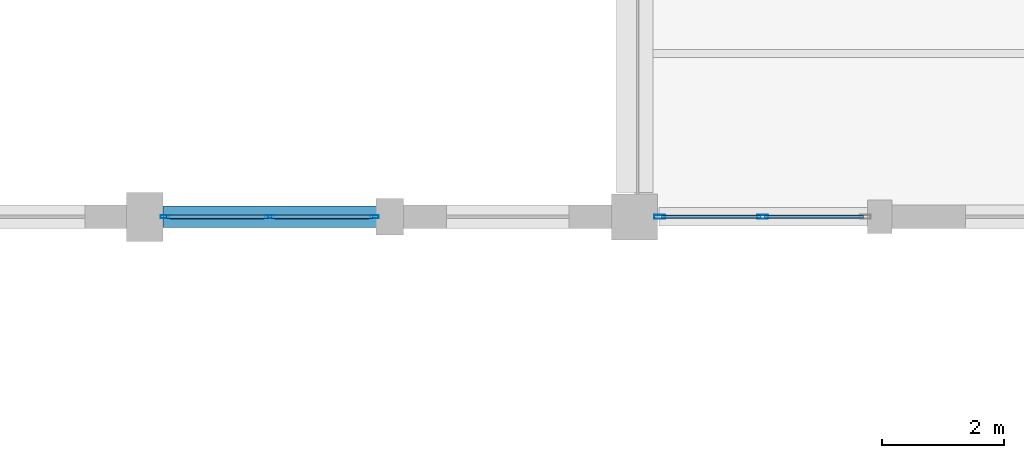
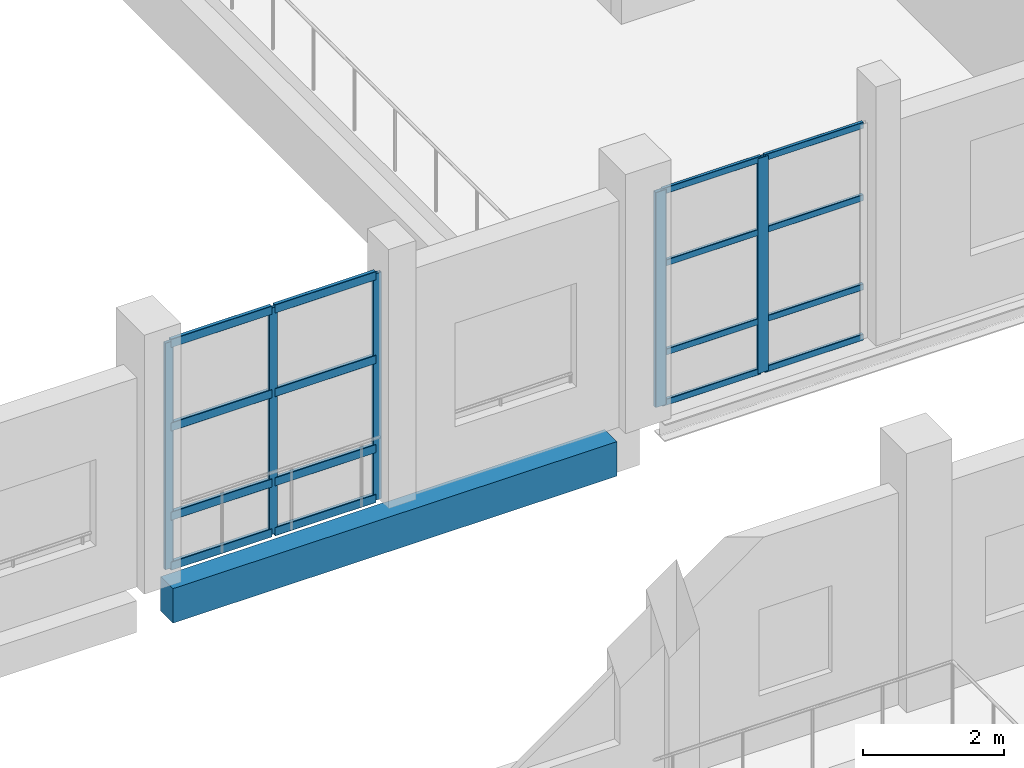
# One storey, part 107 of 183: 21 members, 1 beam, 2 elements without a shape of their own.
"""IFC4 building model written with IfcOpenShell, lengths in metres."""

from ifc_helpers import new_model, si_unit, direction, frame, origin, origin_2d, place, context, subcontext, project, spatial, rectangle, hollow_rectangle, extrude, material, material_profile, profile_set, type_object, element, aggregate, save


model = new_model("IFC4")

# Units and contexts
model_context = context("Model", 3, precision=1e-05, world=origin(), true_north=direction((0.0, 1.0)))
body_context = subcontext(model_context, "Body", "Model", "MODEL_VIEW")
ifc_project = project(units=[si_unit("LENGTHUNIT", "METRE"), si_unit("AREAUNIT", "SQUARE_METRE"), si_unit("VOLUMEUNIT", "CUBIC_METRE"), si_unit("PLANEANGLEUNIT", "RADIAN"), si_unit("MASSUNIT", "GRAM", prefix="KILO")], contexts=[model_context])

# Site, building, storey
site_placement = place(None, origin())
site = spatial("IfcSite", under=ifc_project, at=site_placement, CompositionType="ELEMENT")
building_placement = place(site_placement, origin())
building = spatial("IfcBuilding", under=site, at=building_placement, Name="Luwemba Playhouse", CompositionType="ELEMENT")
storey_placement = place(building_placement, frame((0.0, 0.0, 4.800048828125)))
storey = spatial("IfcBuildingStorey", under=building, at=storey_placement, Name="L01", CompositionType="ELEMENT", Elevation=4.800048828125)

# Beam
ifc_material_1 = material(Name="Concrete C40/50", Category="concrete")
ifc_material_profile_1 = material_profile(ifc_material_1, rectangle(XDim=0.35009765625, YDim=0.60009765625, at=origin_2d()))
ifc_profile_set_1 = profile_set([ifc_material_profile_1], Name="Concrete C40/50")
beam_type = type_object("IfcBeamType", Name="BM-SP3", PredefinedType="SPANDREL", material=ifc_profile_set_1)
beam_placement = place(storey_placement, frame((148.300048828125, 68.0, -0.550048828125), z_axis=(1.0, 0.0, 0.0), x_axis=(0.0, 1.0, 0.0)))
element("IfcBeam", 1, at=beam_placement, inside=storey, type_object=beam_type, Name="L01 grid girder 0438", PredefinedType="SPANDREL", context=body_context, shape_type="SweptSolid", body=[
    extrude(rectangle(XDim=0.35009765625, YDim=0.60009765625, at=origin_2d()), origin(), (0.0, 0.0, 1.0), 7.300048828125),
])

# Curtain wall, members
ifc_material_2 = material(Name="Solar-control double glazing", Category="glass")
curtain_wall_type_1 = type_object("IfcCurtainWallType", Name="CW-CW85", PredefinedType="USERDEFINED", material=ifc_material_2)
curtain_wall_1_placement = place(storey_placement, origin())
curtain_wall_1 = element("IfcCurtainWall", 2, at=curtain_wall_1_placement, inside=storey, type_object=curtain_wall_type_1, Name="L01 V4 unitised curtain wall 115", ObjectType="UNITISED GLAZING", PredefinedType="USERDEFINED")
ifc_material_3 = material(Name="Aluminium 6063-T6", Category="aluminium")
ifc_material_profile_2 = material_profile(ifc_material_3, hollow_rectangle(XDim=0.06494140625, YDim=0.179931640625, WallThickness=0.00439453125, InnerFilletRadius=0.0068359375, OuterFilletRadius=0.01123046875, at=origin_2d()))
ifc_profile_set_2 = profile_set([ifc_material_profile_2], Name="Aluminium 6063-T6")
member_type_1 = type_object("IfcMemberType", Name="CWM-M2", PredefinedType="MULLION", material=ifc_profile_set_2)
member_1_placement = place(storey_placement, frame((158.08740234375, 68.0, 0.0), z_axis=(0.0, 0.0, 1.0), x_axis=(0.0, -1.0, 0.0)))
member_1 = element("IfcMember", 3, at=member_1_placement, type_object=member_type_1, Name="CW85 mullion 2", PredefinedType="MULLION", context=body_context, shape_type="SweptSolid", body=[
    extrude(hollow_rectangle(XDim=0.06494140625, YDim=0.179931640625, WallThickness=0.00439453125, InnerFilletRadius=0.0068359375, OuterFilletRadius=0.01123046875, at=origin_2d()), origin(), (0.0, 0.0, 1.0), 3.73486328125),
])
member_2_placement = place(storey_placement, frame((156.407470703125, 68.0, 0.0), z_axis=(0.0, 0.0, 1.0), x_axis=(0.0, -1.0, 0.0)))
member_2 = element("IfcMember", 4, at=member_2_placement, type_object=member_type_1, Name="CW85 mullion 3", PredefinedType="MULLION", context=body_context, shape_type="SweptSolid", body=[
    extrude(hollow_rectangle(XDim=0.06494140625, YDim=0.179931640625, WallThickness=0.00439453125, InnerFilletRadius=0.0068359375, OuterFilletRadius=0.01123046875, at=origin_2d()), origin(), (0.0, 0.0, 1.0), 3.73486328125),
])

curtain_wall_type_2 = type_object("IfcCurtainWallType", Name="CW-CW86", PredefinedType="USERDEFINED", material=ifc_material_2)
curtain_wall_2_placement = place(storey_placement, origin())
curtain_wall_2 = element("IfcCurtainWall", 5, at=curtain_wall_2_placement, inside=storey, type_object=curtain_wall_type_2, Name="L01 V4 unitised curtain wall 116", ObjectType="UNITISED GLAZING", PredefinedType="USERDEFINED")
ifc_material_profile_3 = material_profile(ifc_material_3, hollow_rectangle(XDim=0.054931640625, YDim=0.139892578125, WallThickness=0.00390625, InnerFilletRadius=0.006103515625, OuterFilletRadius=0.010009765625, at=origin_2d()))
ifc_profile_set_3 = profile_set([ifc_material_profile_3], Name="Aluminium 6063-T6")
member_type_2 = type_object("IfcMemberType", Name="CWM-M3", PredefinedType="MULLION", material=ifc_profile_set_3)
member_3_placement = place(storey_placement, frame((151.74755859375, 68.0, 0.0), z_axis=(0.0, 0.0, 1.0), x_axis=(0.0, -1.0, 0.0)))
member_3 = element("IfcMember", 6, at=member_3_placement, type_object=member_type_2, Name="CW86 mullion 1", PredefinedType="MULLION", context=body_context, shape_type="SweptSolid", body=[
    extrude(hollow_rectangle(XDim=0.054931640625, YDim=0.139892578125, WallThickness=0.00390625, InnerFilletRadius=0.006103515625, OuterFilletRadius=0.010009765625, at=origin_2d()), origin(), (0.0, 0.0, 1.0), 3.93505859375),
])
member_4_placement = place(storey_placement, frame((150.03759765625, 68.0, 0.0), z_axis=(0.0, 0.0, 1.0), x_axis=(0.0, -1.0, 0.0)))
member_4 = element("IfcMember", 7, at=member_4_placement, type_object=member_type_2, Name="CW86 mullion 2", PredefinedType="MULLION", context=body_context, shape_type="SweptSolid", body=[
    extrude(hollow_rectangle(XDim=0.054931640625, YDim=0.139892578125, WallThickness=0.00390625, InnerFilletRadius=0.006103515625, OuterFilletRadius=0.010009765625, at=origin_2d()), origin(), (0.0, 0.0, 1.0), 3.93505859375),
])
member_5_placement = place(storey_placement, frame((148.327392578125, 68.0, 0.0), z_axis=(0.0, 0.0, 1.0), x_axis=(0.0, -1.0, 0.0)))
member_5 = element("IfcMember", 8, at=member_5_placement, type_object=member_type_2, Name="CW86 mullion 3", PredefinedType="MULLION", context=body_context, shape_type="SweptSolid", body=[
    extrude(hollow_rectangle(XDim=0.054931640625, YDim=0.139892578125, WallThickness=0.00390625, InnerFilletRadius=0.006103515625, OuterFilletRadius=0.010009765625, at=origin_2d()), origin(), (0.0, 0.0, 1.0), 3.93505859375),
])

# Member
ifc_material_profile_4 = material_profile(ifc_material_3, hollow_rectangle(XDim=0.054931640625, YDim=0.110107421875, WallThickness=0.00341796875, InnerFilletRadius=0.00537109375, OuterFilletRadius=0.0087890625, at=origin_2d()))
ifc_profile_set_4 = profile_set([ifc_material_profile_4], Name="Aluminium 6063-T6")
member_type_3 = type_object("IfcMemberType", Name="CWT-T2", PredefinedType="USERDEFINED", material=ifc_profile_set_4)
member_6_placement = place(storey_placement, frame((159.735107421875, 68.0, 0.02734375), z_axis=(-1.0, 0.0, 0.0), x_axis=(0.0, -1.0, 0.0)))
member_6 = element("IfcMember", 9, at=member_6_placement, type_object=member_type_3, Name="CW85 transom 1.1", ObjectType="TRANSOM", PredefinedType="USERDEFINED", context=body_context, shape_type="SweptSolid", body=[
    extrude(hollow_rectangle(XDim=0.054931640625, YDim=0.110107421875, WallThickness=0.00341796875, InnerFilletRadius=0.00537109375, OuterFilletRadius=0.0087890625, at=origin_2d()), origin(), (0.0, 0.0, 1.0), 1.614990234375),
])

member_7_placement = place(storey_placement, frame((159.735107421875, 68.0, 0.89990234375), z_axis=(-1.0, 0.0, 0.0), x_axis=(0.0, -1.0, 0.0)))
member_7 = element("IfcMember", 10, at=member_7_placement, type_object=member_type_3, Name="CW85 transom 1.2", ObjectType="TRANSOM", PredefinedType="USERDEFINED", context=body_context, shape_type="SweptSolid", body=[
    extrude(hollow_rectangle(XDim=0.054931640625, YDim=0.110107421875, WallThickness=0.00341796875, InnerFilletRadius=0.00537109375, OuterFilletRadius=0.0087890625, at=origin_2d()), origin(), (0.0, 0.0, 1.0), 1.614990234375),
])

member_8_placement = place(storey_placement, frame((159.735107421875, 68.0, 2.449951171875), z_axis=(-1.0, 0.0, 0.0), x_axis=(0.0, -1.0, 0.0)))
member_8 = element("IfcMember", 11, at=member_8_placement, type_object=member_type_3, Name="CW85 transom 1.3", ObjectType="TRANSOM", PredefinedType="USERDEFINED", context=body_context, shape_type="SweptSolid", body=[
    extrude(hollow_rectangle(XDim=0.054931640625, YDim=0.110107421875, WallThickness=0.00341796875, InnerFilletRadius=0.00537109375, OuterFilletRadius=0.0087890625, at=origin_2d()), origin(), (0.0, 0.0, 1.0), 1.614990234375),
])

member_9_placement = place(storey_placement, frame((159.735107421875, 68.0, 3.70751953125), z_axis=(-1.0, 0.0, 0.0), x_axis=(0.0, -1.0, 0.0)))
member_9 = element("IfcMember", 12, at=member_9_placement, type_object=member_type_3, Name="CW85 transom 1.4", ObjectType="TRANSOM", PredefinedType="USERDEFINED", context=body_context, shape_type="SweptSolid", body=[
    extrude(hollow_rectangle(XDim=0.054931640625, YDim=0.110107421875, WallThickness=0.00341796875, InnerFilletRadius=0.00537109375, OuterFilletRadius=0.0087890625, at=origin_2d()), origin(), (0.0, 0.0, 1.0), 1.614990234375),
])

member_10_placement = place(storey_placement, frame((158.054931640625, 68.0, 0.02734375), z_axis=(-1.0, 0.0, 0.0), x_axis=(0.0, -1.0, 0.0)))
member_10 = element("IfcMember", 13, at=member_10_placement, type_object=member_type_3, Name="CW85 transom 2.1", ObjectType="TRANSOM", PredefinedType="USERDEFINED", context=body_context, shape_type="SweptSolid", body=[
    extrude(hollow_rectangle(XDim=0.054931640625, YDim=0.110107421875, WallThickness=0.00341796875, InnerFilletRadius=0.00537109375, OuterFilletRadius=0.0087890625, at=origin_2d()), origin(), (0.0, 0.0, 1.0), 1.614990234375),
])

member_11_placement = place(storey_placement, frame((158.054931640625, 68.0, 0.89990234375), z_axis=(-1.0, 0.0, 0.0), x_axis=(0.0, -1.0, 0.0)))
member_11 = element("IfcMember", 14, at=member_11_placement, type_object=member_type_3, Name="CW85 transom 2.2", ObjectType="TRANSOM", PredefinedType="USERDEFINED", context=body_context, shape_type="SweptSolid", body=[
    extrude(hollow_rectangle(XDim=0.054931640625, YDim=0.110107421875, WallThickness=0.00341796875, InnerFilletRadius=0.00537109375, OuterFilletRadius=0.0087890625, at=origin_2d()), origin(), (0.0, 0.0, 1.0), 1.614990234375),
])

member_12_placement = place(storey_placement, frame((158.054931640625, 68.0, 2.449951171875), z_axis=(-1.0, 0.0, 0.0), x_axis=(0.0, -1.0, 0.0)))
member_12 = element("IfcMember", 15, at=member_12_placement, type_object=member_type_3, Name="CW85 transom 2.3", ObjectType="TRANSOM", PredefinedType="USERDEFINED", context=body_context, shape_type="SweptSolid", body=[
    extrude(hollow_rectangle(XDim=0.054931640625, YDim=0.110107421875, WallThickness=0.00341796875, InnerFilletRadius=0.00537109375, OuterFilletRadius=0.0087890625, at=origin_2d()), origin(), (0.0, 0.0, 1.0), 1.614990234375),
])

member_13_placement = place(storey_placement, frame((158.054931640625, 68.0, 3.70751953125), z_axis=(-1.0, 0.0, 0.0), x_axis=(0.0, -1.0, 0.0)))
member_13 = element("IfcMember", 16, at=member_13_placement, type_object=member_type_3, Name="CW85 transom 2.4", ObjectType="TRANSOM", PredefinedType="USERDEFINED", context=body_context, shape_type="SweptSolid", body=[
    extrude(hollow_rectangle(XDim=0.054931640625, YDim=0.110107421875, WallThickness=0.00341796875, InnerFilletRadius=0.00537109375, OuterFilletRadius=0.0087890625, at=origin_2d()), origin(), (0.0, 0.0, 1.0), 1.614990234375),
])

aggregate(curtain_wall_1, [member_1, member_2, member_6, member_7, member_8, member_9, member_10, member_11, member_12, member_13])

ifc_material_profile_5 = material_profile(ifc_material_3, hollow_rectangle(XDim=0.06494140625, YDim=0.14990234375, WallThickness=0.00390625, InnerFilletRadius=0.006103515625, OuterFilletRadius=0.010009765625, at=origin_2d()))
ifc_profile_set_5 = profile_set([ifc_material_profile_5], Name="Aluminium 6063-T6")
member_type_4 = type_object("IfcMemberType", Name="CWT-T3", PredefinedType="USERDEFINED", material=ifc_profile_set_5)
member_14_placement = place(storey_placement, frame((151.719970703125, 68.0, 0.032470703125), z_axis=(-1.0, 0.0, 0.0), x_axis=(0.0, -1.0, 0.0)))
member_14 = element("IfcMember", 17, at=member_14_placement, type_object=member_type_4, Name="CW86 transom 1.1", ObjectType="TRANSOM", PredefinedType="USERDEFINED", context=body_context, shape_type="SweptSolid", body=[
    extrude(hollow_rectangle(XDim=0.06494140625, YDim=0.14990234375, WallThickness=0.00390625, InnerFilletRadius=0.006103515625, OuterFilletRadius=0.010009765625, at=origin_2d()), origin(), (0.0, 0.0, 1.0), 1.655029296875),
])

member_15_placement = place(storey_placement, frame((151.719970703125, 68.0, 0.89990234375), z_axis=(-1.0, 0.0, 0.0), x_axis=(0.0, -1.0, 0.0)))
member_15 = element("IfcMember", 18, at=member_15_placement, type_object=member_type_4, Name="CW86 transom 1.2", ObjectType="TRANSOM", PredefinedType="USERDEFINED", context=body_context, shape_type="SweptSolid", body=[
    extrude(hollow_rectangle(XDim=0.06494140625, YDim=0.14990234375, WallThickness=0.00390625, InnerFilletRadius=0.006103515625, OuterFilletRadius=0.010009765625, at=origin_2d()), origin(), (0.0, 0.0, 1.0), 1.655029296875),
])

member_16_placement = place(storey_placement, frame((151.719970703125, 68.0, 2.449951171875), z_axis=(-1.0, 0.0, 0.0), x_axis=(0.0, -1.0, 0.0)))
member_16 = element("IfcMember", 19, at=member_16_placement, type_object=member_type_4, Name="CW86 transom 1.3", ObjectType="TRANSOM", PredefinedType="USERDEFINED", context=body_context, shape_type="SweptSolid", body=[
    extrude(hollow_rectangle(XDim=0.06494140625, YDim=0.14990234375, WallThickness=0.00390625, InnerFilletRadius=0.006103515625, OuterFilletRadius=0.010009765625, at=origin_2d()), origin(), (0.0, 0.0, 1.0), 1.655029296875),
])

member_17_placement = place(storey_placement, frame((151.719970703125, 68.0, 3.90234375), z_axis=(-1.0, 0.0, 0.0), x_axis=(0.0, -1.0, 0.0)))
member_17 = element("IfcMember", 20, at=member_17_placement, type_object=member_type_4, Name="CW86 transom 1.4", ObjectType="TRANSOM", PredefinedType="USERDEFINED", context=body_context, shape_type="SweptSolid", body=[
    extrude(hollow_rectangle(XDim=0.06494140625, YDim=0.14990234375, WallThickness=0.00390625, InnerFilletRadius=0.006103515625, OuterFilletRadius=0.010009765625, at=origin_2d()), origin(), (0.0, 0.0, 1.0), 1.655029296875),
])

member_18_placement = place(storey_placement, frame((150.010009765625, 68.0, 0.032470703125), z_axis=(-1.0, 0.0, 0.0), x_axis=(0.0, -1.0, 0.0)))
member_18 = element("IfcMember", 21, at=member_18_placement, type_object=member_type_4, Name="CW86 transom 2.1", ObjectType="TRANSOM", PredefinedType="USERDEFINED", context=body_context, shape_type="SweptSolid", body=[
    extrude(hollow_rectangle(XDim=0.06494140625, YDim=0.14990234375, WallThickness=0.00390625, InnerFilletRadius=0.006103515625, OuterFilletRadius=0.010009765625, at=origin_2d()), origin(), (0.0, 0.0, 1.0), 1.655029296875),
])

member_19_placement = place(storey_placement, frame((150.010009765625, 68.0, 0.89990234375), z_axis=(-1.0, 0.0, 0.0), x_axis=(0.0, -1.0, 0.0)))
member_19 = element("IfcMember", 22, at=member_19_placement, type_object=member_type_4, Name="CW86 transom 2.2", ObjectType="TRANSOM", PredefinedType="USERDEFINED", context=body_context, shape_type="SweptSolid", body=[
    extrude(hollow_rectangle(XDim=0.06494140625, YDim=0.14990234375, WallThickness=0.00390625, InnerFilletRadius=0.006103515625, OuterFilletRadius=0.010009765625, at=origin_2d()), origin(), (0.0, 0.0, 1.0), 1.655029296875),
])

member_20_placement = place(storey_placement, frame((150.010009765625, 68.0, 2.449951171875), z_axis=(-1.0, 0.0, 0.0), x_axis=(0.0, -1.0, 0.0)))
member_20 = element("IfcMember", 23, at=member_20_placement, type_object=member_type_4, Name="CW86 transom 2.3", ObjectType="TRANSOM", PredefinedType="USERDEFINED", context=body_context, shape_type="SweptSolid", body=[
    extrude(hollow_rectangle(XDim=0.06494140625, YDim=0.14990234375, WallThickness=0.00390625, InnerFilletRadius=0.006103515625, OuterFilletRadius=0.010009765625, at=origin_2d()), origin(), (0.0, 0.0, 1.0), 1.655029296875),
])

member_21_placement = place(storey_placement, frame((150.010009765625, 68.0, 3.90234375), z_axis=(-1.0, 0.0, 0.0), x_axis=(0.0, -1.0, 0.0)))
member_21 = element("IfcMember", 24, at=member_21_placement, type_object=member_type_4, Name="CW86 transom 2.4", ObjectType="TRANSOM", PredefinedType="USERDEFINED", context=body_context, shape_type="SweptSolid", body=[
    extrude(hollow_rectangle(XDim=0.06494140625, YDim=0.14990234375, WallThickness=0.00390625, InnerFilletRadius=0.006103515625, OuterFilletRadius=0.010009765625, at=origin_2d()), origin(), (0.0, 0.0, 1.0), 1.655029296875),
])

aggregate(curtain_wall_2, [member_3, member_4, member_5, member_14, member_15, member_16, member_17, member_18, member_19, member_20, member_21])

save(model, "model.ifc")
